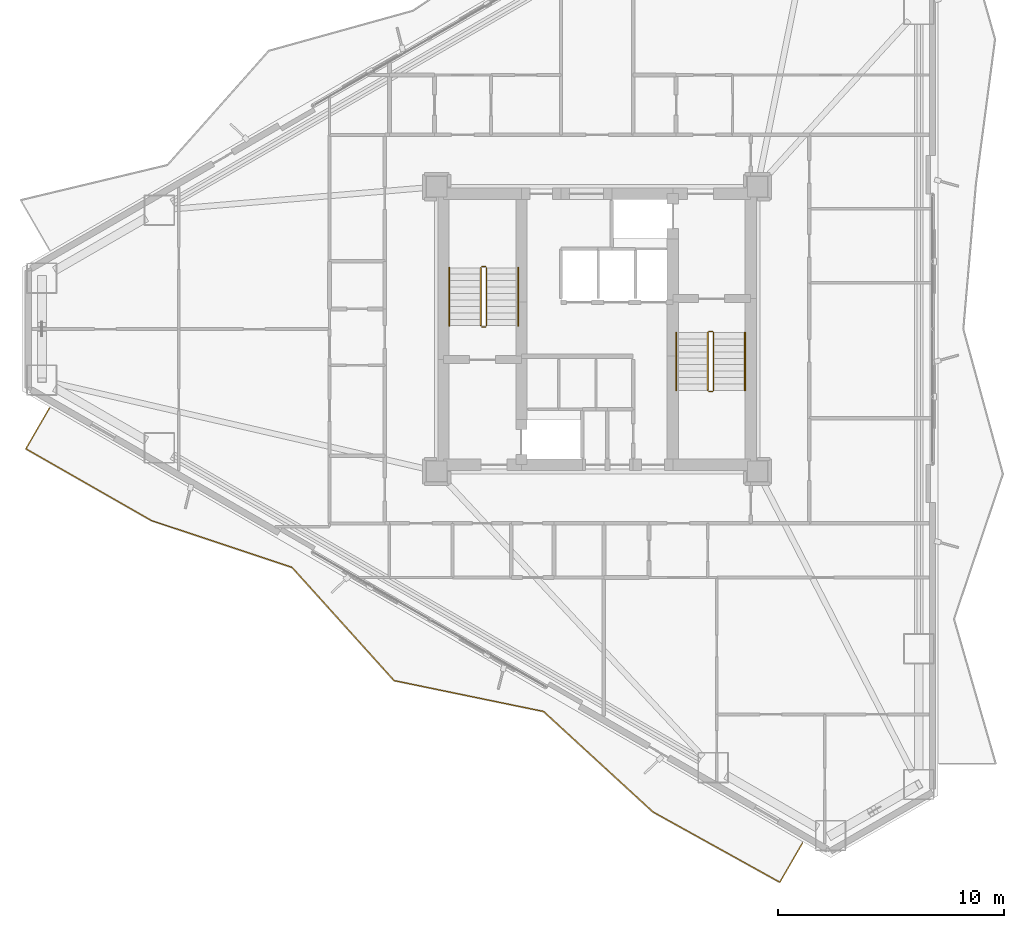
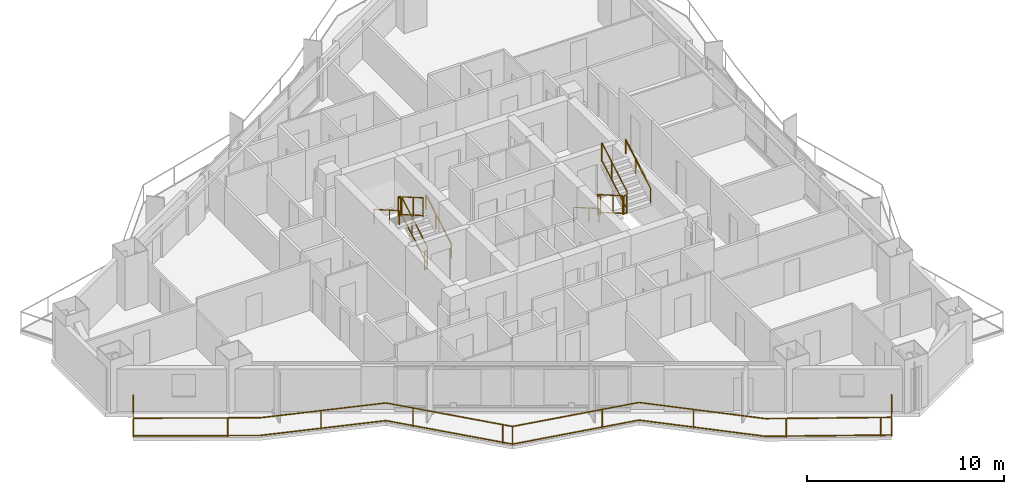
# One storey, part 18 of 19: 13 railings.
"""IFC4 building model written with IfcOpenShell, lengths in metres."""

from ifc_helpers import new_model, si_unit, direction, frame, origin, origin_2d, place, context, subcontext, project, spatial, rectangle, extrude, material, type_object, element, save


model = new_model("IFC4")

# Units and contexts
model_context = context("Model", 3, precision=1e-05, world=origin(), true_north=direction((0.0, 1.0)))
body_context = subcontext(model_context, "Body", "Model", "MODEL_VIEW")
ifc_project = project(units=[si_unit("LENGTHUNIT", "METRE"), si_unit("AREAUNIT", "SQUARE_METRE"), si_unit("VOLUMEUNIT", "CUBIC_METRE"), si_unit("PLANEANGLEUNIT", "RADIAN"), si_unit("MASSUNIT", "GRAM", prefix="KILO")], contexts=[model_context])

# Site, building, storey
site_placement = place(None, origin())
site = spatial("IfcSite", under=ifc_project, at=site_placement, CompositionType="ELEMENT")
building_placement = place(site_placement, origin())
building = spatial("IfcBuilding", under=site, at=building_placement, Name="Mersakhor Tower and Convention Hall", CompositionType="ELEMENT")
storey_placement = place(building_placement, frame((0.0, 0.0, 42.300048828125)))
storey = spatial("IfcBuildingStorey", under=building, at=storey_placement, Name="L11", CompositionType="ELEMENT", Elevation=42.300048828125)

# Railings
ifc_material_1 = material(Name="Powder-coated galvanised steel and laminated glass balustrade", Category="steel")
railing_type_1 = type_object("IfcRailingType", Name="RL-BAL-1200", PredefinedType="BALUSTRADE", material=ifc_material_1)
railing_1_placement = place(storey_placement, frame((4.75048828125, 23.256591796875, 0.0)))
element("IfcRailing", 1, at=railing_1_placement, inside=storey, type_object=railing_type_1, Name="L11 Sinusoidal Balcony Balustrade F3", PredefinedType="BALUSTRADE", context=body_context, shape_type="SweptSolid", body=[
    extrude(rectangle(XDim=0.048095703125, YDim=0.048095703125, at=origin_2d()), frame((0.0, 0.0, 1.17578125), z_axis=(-0.499942048233, -0.866058859667, 0.0), x_axis=(0.866058859667, -0.499942048233, 0.0)), (0.0, 0.0, 1.0), 2.085205078125),
    extrude(rectangle(XDim=0.048095703125, YDim=0.048095703125, at=origin_2d()), frame((0.0, 0.0, 0.080078125), z_axis=(-0.499942048233, -0.866058859667, 0.0), x_axis=(0.866058859667, -0.499942048233, 0.0)), (0.0, 0.0, 1.0), 2.085205078125),
    extrude(rectangle(XDim=0.048095703125, YDim=0.048095703125, at=origin_2d()), frame((-1.04248046875, -1.805908203125, 1.17578125), z_axis=(0.868425677536, -0.495819364887, 0.0), x_axis=(0.495819364887, 0.868425677536, 0.0)), (0.0, 0.0, 1.0), 6.41796875),
    extrude(rectangle(XDim=0.048095703125, YDim=0.048095703125, at=origin_2d()), frame((-1.04248046875, -1.805908203125, 0.080078125), z_axis=(0.868425677536, -0.495819364887, 0.0), x_axis=(0.495819364887, 0.868425677536, 0.0)), (0.0, 0.0, 1.0), 6.41796875),
    extrude(rectangle(XDim=0.048095703125, YDim=0.048095703125, at=origin_2d()), frame((4.531005859375, -4.988037109375, 1.17578125), z_axis=(0.948806201081, -0.315858817814, 0.0), x_axis=(0.315858817814, 0.948806201081, 0.0)), (0.0, 0.0, 1.0), 6.551513671875),
    extrude(rectangle(XDim=0.048095703125, YDim=0.048095703125, at=origin_2d()), frame((4.531005859375, -4.988037109375, 0.080078125), z_axis=(0.948806201081, -0.315858817814, 0.0), x_axis=(0.315858817814, 0.948806201081, 0.0)), (0.0, 0.0, 1.0), 6.551513671875),
    extrude(rectangle(XDim=0.048095703125, YDim=0.048095703125, at=origin_2d()), frame((10.7470703125, -7.057373046875, 1.17578125), z_axis=(0.669520305319, -0.742793753855, 0.0), x_axis=(0.742793753855, 0.669520305319, 0.0)), (0.0, 0.0, 1.0), 6.7470703125),
    extrude(rectangle(XDim=0.048095703125, YDim=0.048095703125, at=origin_2d()), frame((10.7470703125, -7.057373046875, 0.080078125), z_axis=(0.669520305319, -0.742793753855, 0.0), x_axis=(0.742793753855, 0.669520305319, 0.0)), (0.0, 0.0, 1.0), 6.7470703125),
    extrude(rectangle(XDim=0.048095703125, YDim=0.048095703125, at=origin_2d()), frame((15.264404296875, -12.069091796875, 1.17578125), z_axis=(0.979303630413, -0.202396638955, 0.0), x_axis=(0.202396638955, 0.979303630413, 0.0)), (0.0, 0.0, 1.0), 6.760986328125),
    extrude(rectangle(XDim=0.048095703125, YDim=0.048095703125, at=origin_2d()), frame((15.264404296875, -12.069091796875, 0.080078125), z_axis=(0.979303630413, -0.202396638955, 0.0), x_axis=(0.202396638955, 0.979303630413, 0.0)), (0.0, 0.0, 1.0), 6.760986328125),
    extrude(rectangle(XDim=0.048095703125, YDim=0.048095703125, at=origin_2d()), frame((21.885498046875, -13.4375, 1.17578125), z_axis=(0.736452496699, -0.676489260895, 0.0), x_axis=(0.676489260895, 0.736452496699, 0.0)), (0.0, 0.0, 1.0), 6.575439453125),
    extrude(rectangle(XDim=0.048095703125, YDim=0.048095703125, at=origin_2d()), frame((21.885498046875, -13.4375, 0.080078125), z_axis=(0.736452496699, -0.676489260895, 0.0), x_axis=(0.676489260895, 0.736452496699, 0.0)), (0.0, 0.0, 1.0), 6.575439453125),
    extrude(rectangle(XDim=0.048095703125, YDim=0.048095703125, at=origin_2d()), frame((26.72802734375, -17.8857421875, 1.17578125), z_axis=(0.874659139307, -0.484738475909, 0.0), x_axis=(0.484738475909, 0.874659139307, 0.0)), (0.0, 0.0, 1.0), 6.419189453125),
    extrude(rectangle(XDim=0.048095703125, YDim=0.048095703125, at=origin_2d()), frame((26.72802734375, -17.8857421875, 0.080078125), z_axis=(0.874659139307, -0.484738475909, 0.0), x_axis=(0.484738475909, 0.874659139307, 0.0)), (0.0, 0.0, 1.0), 6.419189453125),
    extrude(rectangle(XDim=0.048095703125, YDim=0.048095703125, at=origin_2d()), frame((32.342529296875, -20.997314453125, 1.17578125), z_axis=(0.500012890865, 0.866017961112, 0.0), x_axis=(-0.866017961112, 0.500012890865, 0.0)), (0.0, 0.0, 1.0), 2.01318359375),
    extrude(rectangle(XDim=0.048095703125, YDim=0.048095703125, at=origin_2d()), frame((32.342529296875, -20.997314453125, 0.080078125), z_axis=(0.500012890865, 0.866017961112, 0.0), x_axis=(-0.866017961112, 0.500012890865, 0.0)), (0.0, 0.0, 1.0), 2.01318359375),
    extrude(rectangle(XDim=0.0419921875, YDim=0.0419921875, at=origin_2d()), origin(), (0.0, 0.0, 1.0), 1.15185546875),
    extrude(rectangle(XDim=0.0419921875, YDim=0.0419921875, at=origin_2d()), frame((-1.04248046875, -1.805908203125, 0.0)), (0.0, 0.0, 1.0), 1.15185546875),
    extrude(rectangle(XDim=0.0419921875, YDim=0.0419921875, at=origin_2d()), frame((3.1259765625, -4.185791015625, 0.0)), (0.0, 0.0, 1.0), 1.15185546875),
    extrude(rectangle(XDim=0.0419921875, YDim=0.0419921875, at=origin_2d()), frame((7.55029296875, -5.9931640625, 0.0)), (0.0, 0.0, 1.0), 1.15185546875),
    extrude(rectangle(XDim=0.0419921875, YDim=0.0419921875, at=origin_2d()), frame((11.704833984375, -8.1201171875, 0.0)), (0.0, 0.0, 1.0), 1.15185546875),
    extrude(rectangle(XDim=0.0419921875, YDim=0.0419921875, at=origin_2d()), frame((14.918701171875, -11.685546875, 0.0)), (0.0, 0.0, 1.0), 1.15185546875),
    extrude(rectangle(XDim=0.0419921875, YDim=0.0419921875, at=origin_2d()), frame((15.264404296875, -12.069091796875, 0.0)), (0.0, 0.0, 1.0), 1.15185546875),
    extrude(rectangle(XDim=0.0419921875, YDim=0.0419921875, at=origin_2d()), frame((19.965087890625, -13.04052734375, 0.0)), (0.0, 0.0, 1.0), 1.15185546875),
    extrude(rectangle(XDim=0.0419921875, YDim=0.0419921875, at=origin_2d()), frame((23.976318359375, -15.358154296875, 0.0)), (0.0, 0.0, 1.0), 1.15185546875),
    extrude(rectangle(XDim=0.0419921875, YDim=0.0419921875, at=origin_2d()), frame((27.658203125, -18.4013671875, 0.0)), (0.0, 0.0, 1.0), 1.15185546875),
    extrude(rectangle(XDim=0.0419921875, YDim=0.0419921875, at=origin_2d()), frame((31.856689453125, -20.72802734375, 0.0)), (0.0, 0.0, 1.0), 1.15185546875),
    extrude(rectangle(XDim=0.0419921875, YDim=0.0419921875, at=origin_2d()), frame((32.342529296875, -20.997314453125, 0.0)), (0.0, 0.0, 1.0), 1.15185546875),
    extrude(rectangle(XDim=0.0419921875, YDim=0.0419921875, at=origin_2d()), frame((33.34912109375, -19.25390625, 0.0)), (0.0, 0.0, 1.0), 1.15185546875),
])
ifc_material_2 = material(Name="Brushed stainless steel handrail", Category="steel")
railing_type_2 = type_object("IfcRailingType", Name="RL-HR-900", PredefinedType="HANDRAIL", material=ifc_material_2)
railing_2_placement = place(storey_placement, frame((25.5, 26.89990234375, 0.1650390625)))
element("IfcRailing", 2, at=railing_2_placement, inside=storey, type_object=railing_type_2, Name="L11 ST-1 stair handrail 1", PredefinedType="HANDRAIL", context=body_context, shape_type="SweptSolid", body=[
    extrude(rectangle(XDim=0.048095703125, YDim=0.048095703125, at=origin_2d()), frame((0.0, 0.0, 0.8759765625), z_axis=(0.0, 0.865461999751, 0.500974577186), x_axis=(-1.0, 0.0, 0.0)), (0.0, 0.0, 1.0), 2.9638671875),
    extrude(rectangle(XDim=0.0419921875, YDim=0.0419921875, at=origin_2d()), origin(), (0.0, 0.0, 1.0), 0.851806640625),
    extrude(rectangle(XDim=0.0419921875, YDim=0.0419921875, at=origin_2d()), frame((0.0, 1.557861328125, 0.90185546875)), (0.0, 0.0, 1.0), 0.851806640625),
    extrude(rectangle(XDim=0.0419921875, YDim=0.0419921875, at=origin_2d()), frame((0.0, 2.565185546875, 1.48486328125)), (0.0, 0.0, 1.0), 0.851806640625),
])
railing_3_placement = place(storey_placement, frame((22.449951171875, 29.465087890625, 1.81494140625)))
element("IfcRailing", 3, at=railing_3_placement, inside=storey, type_object=railing_type_2, Name="L11 ST-1 stair handrail 2", PredefinedType="HANDRAIL", context=body_context, shape_type="SweptSolid", body=[
    extrude(rectangle(XDim=0.048095703125, YDim=0.048095703125, at=origin_2d()), frame((0.0, 0.0, 0.8759765625), z_axis=(0.0, -0.865426285481, 0.501036270542), x_axis=(1.0, 0.0, 0.0)), (0.0, 0.0, 1.0), 2.964111328125),
    extrude(rectangle(XDim=0.0419921875, YDim=0.0419921875, at=origin_2d()), origin(), (0.0, 0.0, 1.0), 0.851806640625),
    extrude(rectangle(XDim=0.0419921875, YDim=0.0419921875, at=origin_2d()), frame((0.0, -1.557861328125, 0.90185546875)), (0.0, 0.0, 1.0), 0.851806640625),
    extrude(rectangle(XDim=0.0419921875, YDim=0.0419921875, at=origin_2d()), frame((0.0, -2.565185546875, 1.485107421875)), (0.0, 0.0, 1.0), 0.851806640625),
])
railing_4_placement = place(storey_placement, frame((32.5, 26.60009765625, 0.1650390625)))
element("IfcRailing", 4, at=railing_4_placement, inside=storey, type_object=railing_type_2, Name="L11 ST-2 stair handrail 1", PredefinedType="HANDRAIL", context=body_context, shape_type="SweptSolid", body=[
    extrude(rectangle(XDim=0.048095703125, YDim=0.048095703125, at=origin_2d()), frame((0.0, 0.0, 0.8759765625), z_axis=(0.0, -0.865461999751, 0.500974577186), x_axis=(1.0, 0.0, 0.0)), (0.0, 0.0, 1.0), 2.9638671875),
    extrude(rectangle(XDim=0.0419921875, YDim=0.0419921875, at=origin_2d()), origin(), (0.0, 0.0, 1.0), 0.851806640625),
    extrude(rectangle(XDim=0.0419921875, YDim=0.0419921875, at=origin_2d()), frame((0.0, -1.557861328125, 0.90185546875)), (0.0, 0.0, 1.0), 0.851806640625),
    extrude(rectangle(XDim=0.0419921875, YDim=0.0419921875, at=origin_2d()), frame((0.0, -2.565185546875, 1.48486328125)), (0.0, 0.0, 1.0), 0.851806640625),
])
railing_5_placement = place(storey_placement, frame((35.550048828125, 24.034912109375, 1.81494140625)))
element("IfcRailing", 5, at=railing_5_placement, inside=storey, type_object=railing_type_2, Name="L11 ST-2 stair handrail 2", PredefinedType="HANDRAIL", context=body_context, shape_type="SweptSolid", body=[
    extrude(rectangle(XDim=0.048095703125, YDim=0.048095703125, at=origin_2d()), frame((0.0, 0.0, 0.8759765625), z_axis=(0.0, 0.865426285481, 0.501036270542), x_axis=(-1.0, 0.0, 0.0)), (0.0, 0.0, 1.0), 2.964111328125),
    extrude(rectangle(XDim=0.0419921875, YDim=0.0419921875, at=origin_2d()), origin(), (0.0, 0.0, 1.0), 0.851806640625),
    extrude(rectangle(XDim=0.0419921875, YDim=0.0419921875, at=origin_2d()), frame((0.0, 1.557861328125, 0.90185546875)), (0.0, 0.0, 1.0), 0.851806640625),
    extrude(rectangle(XDim=0.0419921875, YDim=0.0419921875, at=origin_2d()), frame((0.0, 2.565185546875, 1.485107421875)), (0.0, 0.0, 1.0), 0.851806640625),
])
ifc_material_3 = material(Name="Painted steel stair balustrade S355", Category="steel")
railing_type_3 = type_object("IfcRailingType", Name="RL-STG-1200", PredefinedType="BALUSTRADE", material=ifc_material_3)
railing_6_placement = place(storey_placement, frame((24.10009765625, 26.89990234375, 0.1650390625)))
element("IfcRailing", 6, at=railing_6_placement, inside=storey, type_object=railing_type_3, Name="L11 ST-1 stair guard 1", PredefinedType="BALUSTRADE", context=body_context, shape_type="SweptSolid", body=[
    extrude(rectangle(XDim=0.048095703125, YDim=0.048095703125, at=origin_2d()), frame((0.0, 0.0, 1.17578125), z_axis=(0.0, 0.865461999751, 0.500974577186), x_axis=(-1.0, 0.0, 0.0)), (0.0, 0.0, 1.0), 2.9638671875),
    extrude(rectangle(XDim=0.048095703125, YDim=0.048095703125, at=origin_2d()), frame((0.0, 0.0, 0.080078125), z_axis=(0.0, 0.865461999751, 0.500974577186), x_axis=(-1.0, 0.0, 0.0)), (0.0, 0.0, 1.0), 2.9638671875),
    extrude(rectangle(XDim=0.0419921875, YDim=0.0419921875, at=origin_2d()), origin(), (0.0, 0.0, 1.0), 1.15185546875),
    extrude(rectangle(XDim=0.0419921875, YDim=0.0419921875, at=origin_2d()), frame((0.0, 1.557861328125, 0.90185546875)), (0.0, 0.0, 1.0), 1.15185546875),
    extrude(rectangle(XDim=0.0419921875, YDim=0.0419921875, at=origin_2d()), frame((0.0, 2.565185546875, 1.48486328125)), (0.0, 0.0, 1.0), 1.15185546875),
])
railing_7_placement = place(storey_placement, frame((24.050048828125, 29.514892578125, 1.64990234375)))
element("IfcRailing", 7, at=railing_7_placement, inside=storey, type_object=railing_type_3, Name="L11 ST-1 stair guard 2", PredefinedType="BALUSTRADE", context=body_context, shape_type="SweptSolid", body=[
    extrude(rectangle(XDim=0.048095703125, YDim=0.048095703125, at=origin_2d()), frame((0.0, 0.0, 1.17578125), z_axis=(-1.0, 0.0, 0.0), x_axis=(0.0, -1.0, 0.0)), (0.0, 0.0, 1.0), 0.150146484375),
    extrude(rectangle(XDim=0.048095703125, YDim=0.048095703125, at=origin_2d()), frame((0.0, 0.0, 0.080078125), z_axis=(-1.0, 0.0, 0.0), x_axis=(0.0, -1.0, 0.0)), (0.0, 0.0, 1.0), 0.150146484375),
    extrude(rectangle(XDim=0.0419921875, YDim=0.0419921875, at=origin_2d()), origin(), (0.0, 0.0, 1.0), 1.15185546875),
    extrude(rectangle(XDim=0.0419921875, YDim=0.0419921875, at=origin_2d()), frame((-0.150146484375, 0.0, 0.0)), (0.0, 0.0, 1.0), 1.15185546875),
])
railing_8_placement = place(storey_placement, frame((23.85009765625, 29.465087890625, 1.81494140625)))
element("IfcRailing", 8, at=railing_8_placement, inside=storey, type_object=railing_type_3, Name="L11 ST-1 stair guard 3", PredefinedType="BALUSTRADE", context=body_context, shape_type="SweptSolid", body=[
    extrude(rectangle(XDim=0.048095703125, YDim=0.048095703125, at=origin_2d()), frame((0.0, 0.0, 1.17578125), z_axis=(0.0, -0.865426285481, 0.501036270542), x_axis=(1.0, 0.0, 0.0)), (0.0, 0.0, 1.0), 2.964111328125),
    extrude(rectangle(XDim=0.048095703125, YDim=0.048095703125, at=origin_2d()), frame((0.0, 0.0, 0.080078125), z_axis=(0.0, -0.865426285481, 0.501036270542), x_axis=(1.0, 0.0, 0.0)), (0.0, 0.0, 1.0), 2.964111328125),
    extrude(rectangle(XDim=0.0419921875, YDim=0.0419921875, at=origin_2d()), origin(), (0.0, 0.0, 1.0), 1.15185546875),
    extrude(rectangle(XDim=0.0419921875, YDim=0.0419921875, at=origin_2d()), frame((0.0, -1.557861328125, 0.90185546875)), (0.0, 0.0, 1.0), 1.15185546875),
    extrude(rectangle(XDim=0.0419921875, YDim=0.0419921875, at=origin_2d()), frame((0.0, -2.565185546875, 1.485107421875)), (0.0, 0.0, 1.0), 1.15185546875),
])
railing_9_placement = place(storey_placement, frame((24.050048828125, 26.85009765625, 0.0)))
element("IfcRailing", 9, at=railing_9_placement, inside=storey, type_object=railing_type_3, Name="L11 ST-1 stair guard 4", PredefinedType="BALUSTRADE", context=body_context, shape_type="SweptSolid", body=[
    extrude(rectangle(XDim=0.048095703125, YDim=0.048095703125, at=origin_2d()), frame((0.0, 0.0, 1.17578125), z_axis=(-1.0, 0.0, 0.0), x_axis=(0.0, -1.0, 0.0)), (0.0, 0.0, 1.0), 0.150146484375),
    extrude(rectangle(XDim=0.048095703125, YDim=0.048095703125, at=origin_2d()), frame((0.0, 0.0, 0.080078125), z_axis=(-1.0, 0.0, 0.0), x_axis=(0.0, -1.0, 0.0)), (0.0, 0.0, 1.0), 0.150146484375),
    extrude(rectangle(XDim=0.0419921875, YDim=0.0419921875, at=origin_2d()), origin(), (0.0, 0.0, 1.0), 1.15185546875),
    extrude(rectangle(XDim=0.0419921875, YDim=0.0419921875, at=origin_2d()), frame((-0.150146484375, 0.0, 0.0)), (0.0, 0.0, 1.0), 1.15185546875),
])
railing_10_placement = place(storey_placement, frame((33.89990234375, 26.60009765625, 0.1650390625)))
element("IfcRailing", 10, at=railing_10_placement, inside=storey, type_object=railing_type_3, Name="L11 ST-2 stair guard 1", PredefinedType="BALUSTRADE", context=body_context, shape_type="SweptSolid", body=[
    extrude(rectangle(XDim=0.048095703125, YDim=0.048095703125, at=origin_2d()), frame((0.0, 0.0, 1.17578125), z_axis=(0.0, -0.865461999751, 0.500974577186), x_axis=(1.0, 0.0, 0.0)), (0.0, 0.0, 1.0), 2.9638671875),
    extrude(rectangle(XDim=0.048095703125, YDim=0.048095703125, at=origin_2d()), frame((0.0, 0.0, 0.080078125), z_axis=(0.0, -0.865461999751, 0.500974577186), x_axis=(1.0, 0.0, 0.0)), (0.0, 0.0, 1.0), 2.9638671875),
    extrude(rectangle(XDim=0.0419921875, YDim=0.0419921875, at=origin_2d()), origin(), (0.0, 0.0, 1.0), 1.15185546875),
    extrude(rectangle(XDim=0.0419921875, YDim=0.0419921875, at=origin_2d()), frame((0.0, -1.557861328125, 0.90185546875)), (0.0, 0.0, 1.0), 1.15185546875),
    extrude(rectangle(XDim=0.0419921875, YDim=0.0419921875, at=origin_2d()), frame((0.0, -2.565185546875, 1.48486328125)), (0.0, 0.0, 1.0), 1.15185546875),
])
railing_11_placement = place(storey_placement, frame((33.949951171875, 23.985107421875, 1.64990234375)))
element("IfcRailing", 11, at=railing_11_placement, inside=storey, type_object=railing_type_3, Name="L11 ST-2 stair guard 2", PredefinedType="BALUSTRADE", context=body_context, shape_type="SweptSolid", body=[
    extrude(rectangle(XDim=0.048095703125, YDim=0.048095703125, at=origin_2d()), frame((0.0, 0.0, 1.17578125), z_axis=(1.0, 0.0, 0.0), x_axis=(0.0, 1.0, 0.0)), (0.0, 0.0, 1.0), 0.150146484375),
    extrude(rectangle(XDim=0.048095703125, YDim=0.048095703125, at=origin_2d()), frame((0.0, 0.0, 0.080078125), z_axis=(1.0, 0.0, 0.0), x_axis=(0.0, 1.0, 0.0)), (0.0, 0.0, 1.0), 0.150146484375),
    extrude(rectangle(XDim=0.0419921875, YDim=0.0419921875, at=origin_2d()), origin(), (0.0, 0.0, 1.0), 1.15185546875),
    extrude(rectangle(XDim=0.0419921875, YDim=0.0419921875, at=origin_2d()), frame((0.150146484375, 0.0, 0.0)), (0.0, 0.0, 1.0), 1.15185546875),
])
railing_12_placement = place(storey_placement, frame((34.14990234375, 24.034912109375, 1.81494140625)))
element("IfcRailing", 12, at=railing_12_placement, inside=storey, type_object=railing_type_3, Name="L11 ST-2 stair guard 3", PredefinedType="BALUSTRADE", context=body_context, shape_type="SweptSolid", body=[
    extrude(rectangle(XDim=0.048095703125, YDim=0.048095703125, at=origin_2d()), frame((0.0, 0.0, 1.17578125), z_axis=(0.0, 0.865426285481, 0.501036270542), x_axis=(-1.0, 0.0, 0.0)), (0.0, 0.0, 1.0), 2.964111328125),
    extrude(rectangle(XDim=0.048095703125, YDim=0.048095703125, at=origin_2d()), frame((0.0, 0.0, 0.080078125), z_axis=(0.0, 0.865426285481, 0.501036270542), x_axis=(-1.0, 0.0, 0.0)), (0.0, 0.0, 1.0), 2.964111328125),
    extrude(rectangle(XDim=0.0419921875, YDim=0.0419921875, at=origin_2d()), origin(), (0.0, 0.0, 1.0), 1.15185546875),
    extrude(rectangle(XDim=0.0419921875, YDim=0.0419921875, at=origin_2d()), frame((0.0, 1.557861328125, 0.90185546875)), (0.0, 0.0, 1.0), 1.15185546875),
    extrude(rectangle(XDim=0.0419921875, YDim=0.0419921875, at=origin_2d()), frame((0.0, 2.565185546875, 1.485107421875)), (0.0, 0.0, 1.0), 1.15185546875),
])
railing_13_placement = place(storey_placement, frame((33.949951171875, 26.64990234375, 0.0)))
element("IfcRailing", 13, at=railing_13_placement, inside=storey, type_object=railing_type_3, Name="L11 ST-2 stair guard 4", PredefinedType="BALUSTRADE", context=body_context, shape_type="SweptSolid", body=[
    extrude(rectangle(XDim=0.048095703125, YDim=0.048095703125, at=origin_2d()), frame((0.0, 0.0, 1.17578125), z_axis=(1.0, 0.0, 0.0), x_axis=(0.0, 1.0, 0.0)), (0.0, 0.0, 1.0), 0.150146484375),
    extrude(rectangle(XDim=0.048095703125, YDim=0.048095703125, at=origin_2d()), frame((0.0, 0.0, 0.080078125), z_axis=(1.0, 0.0, 0.0), x_axis=(0.0, 1.0, 0.0)), (0.0, 0.0, 1.0), 0.150146484375),
    extrude(rectangle(XDim=0.0419921875, YDim=0.0419921875, at=origin_2d()), origin(), (0.0, 0.0, 1.0), 1.15185546875),
    extrude(rectangle(XDim=0.0419921875, YDim=0.0419921875, at=origin_2d()), frame((0.150146484375, 0.0, 0.0)), (0.0, 0.0, 1.0), 1.15185546875),
])

save(model, "model.ifc")
